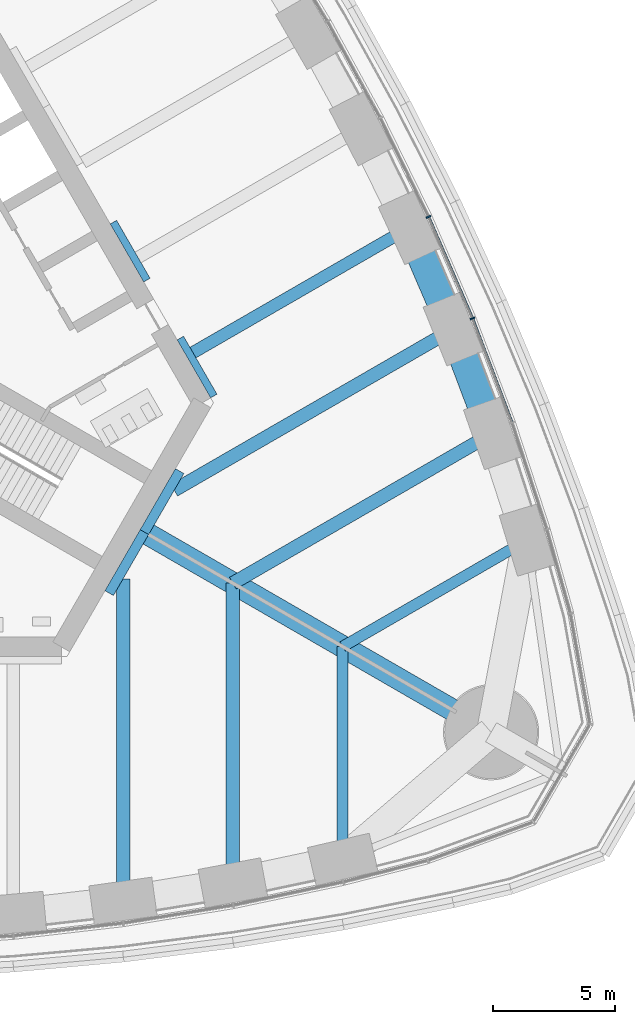
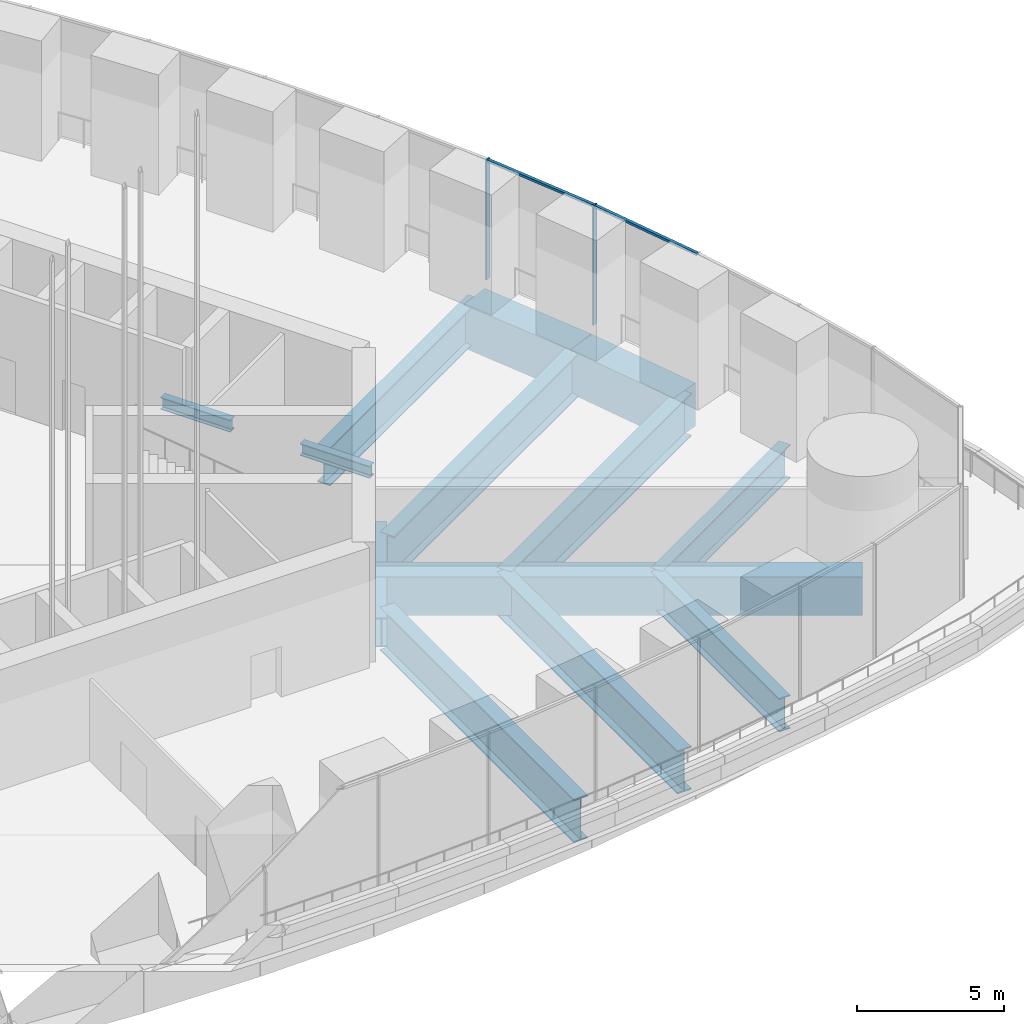
# One storey, part 5 of 31: 14 beams, 4 members, 1 element without a shape of its own.
"""IFC4 building model written with IfcOpenShell, lengths in metres."""

import ifcopenshell
import ifcopenshell.guid

model = None  # the IFC model being written
_history = None  # IfcOwnerHistory: only IFC2X3 demands one
_inside = {}  # id of a spatial element -> (the spatial element, [elements in it])
_under = {}  # id of a project, library or spatial element -> (it, [spatial elements below it])
_declared = {}  # id of a project -> (the project, [libraries it declares])
_typed = {}  # id of a type object -> (the type object, [elements of that type])
_made_of = {}  # id of a material, layer set ... -> (it, [elements and type objects made of it])


def new_model(schema):
    """Start an empty IFC model of exactly this schema.

    Asked for "IFC4X3", IfcOpenShell would pick the latest addendum, in which some entities
    have other attributes; the version numbers below select the first issue.
    IFC2X3 requires an IfcOwnerHistory on every rooted entity: one is made here for all.
    """
    global model, _history
    if schema == "IFC4X3":
        model = ifcopenshell.file(schema_version=(4, 3, 0, 0))
    else:
        model = ifcopenshell.file(schema=schema)
    _inside.clear()
    _under.clear()
    _declared.clear()
    _typed.clear()
    _made_of.clear()
    _history = None
    if model.schema == "IFC2X3":
        org = make("IfcOrganization", Name="unknown")
        user = make(
            "IfcPersonAndOrganization",
            ThePerson=make("IfcPerson", FamilyName="unknown"),
            TheOrganization=org,
        )
        app = make(
            "IfcApplication",
            ApplicationDeveloper=org,
            Version="unknown",
            ApplicationFullName="unknown",
            ApplicationIdentifier="unknown",
        )
        _history = make(
            "IfcOwnerHistory",
            OwningUser=user,
            OwningApplication=app,
            ChangeAction="ADDED",
            CreationDate=0,
        )
    return model


def make(cls, **values):
    """One entity of the class cls with the attributes given. An attribute that is None is left unset."""
    return model.create_entity(
        cls, **{name: value for name, value in values.items() if value is not None}
    )


def rooted(cls, **values):
    """An entity with a GlobalId (a new one), such as an element, a storey or a relation."""
    return make(cls, GlobalId=ifcopenshell.guid.new(), OwnerHistory=_history, **values)


def si_unit(unit_type, name, prefix=None):
    """IfcSIUnit, for example si_unit("LENGTHUNIT", "METRE", prefix="MILLI")."""
    return make("IfcSIUnit", UnitType=unit_type, Prefix=prefix, Name=name)


def assignment(units):
    """IfcUnitAssignment: the units of a project."""
    return None if units is None else make("IfcUnitAssignment", Units=units)


def point(xyz):
    """IfcCartesianPoint."""
    return None if xyz is None else make("IfcCartesianPoint", Coordinates=xyz)


def direction(xyz):
    """IfcDirection."""
    return None if xyz is None else make("IfcDirection", DirectionRatios=xyz)


def frame(location, z_axis=None, x_axis=None):
    """IfcAxis2Placement3D, a coordinate frame: its origin and axes. An axis left out is left unset."""
    return make(
        "IfcAxis2Placement3D",
        Location=point(location),
        Axis=direction(z_axis),
        RefDirection=direction(x_axis),
    )


def frame_2d(location, x_axis=None):
    """IfcAxis2Placement2D, a coordinate frame in the plane: its origin and x axis."""
    return make(
        "IfcAxis2Placement2D", Location=point(location), RefDirection=direction(x_axis)
    )


def origin():
    """The frame at (0, 0, 0) with its axes left unset."""
    return frame((0.0, 0.0, 0.0))


def origin_2d():
    """The frame at (0, 0) in the plane with its x axis left unset."""
    return frame_2d((0.0, 0.0))


def place(relative_to, where):
    """IfcLocalPlacement: puts the frame where relative to a parent placement (None: the world)."""
    return make(
        "IfcLocalPlacement", PlacementRelTo=relative_to, RelativePlacement=where
    )


def context(
    kind, dimensions, precision=None, world=None, true_north=None, identifier=None
):
    """IfcGeometricRepresentationContext, for example the 3D "Model" context."""
    return make(
        "IfcGeometricRepresentationContext",
        ContextIdentifier=identifier,
        ContextType=kind,
        CoordinateSpaceDimension=dimensions,
        Precision=precision,
        WorldCoordinateSystem=world,
        TrueNorth=true_north,
    )


def subcontext(parent, identifier, kind, view, scale=None):
    """IfcGeometricRepresentationSubContext, for example "Body" below "Model"."""
    return make(
        "IfcGeometricRepresentationSubContext",
        ContextIdentifier=identifier,
        ContextType=kind,
        ParentContext=parent,
        TargetScale=scale,
        TargetView=view,
    )


def project(units=None, contexts=None):
    """IfcProject with its units and contexts."""
    return rooted(
        "IfcProject",
        Name="project",
        RepresentationContexts=contexts,
        UnitsInContext=assignment(units),
    )


def spatial(cls, under=None, at=None, **own):
    """A site, building, storey or space (cls), placed at a placement, below another one or the project."""
    s = rooted(cls, ObjectPlacement=at, **own)
    if under is not None:
        _under.setdefault(under.id(), (under, []))[1].append(s)
    return s


def profile(cls, at=None, kind="AREA", **sizes):
    """A parametric profile (cls). Its sizes go by their IFC names, for example OverallWidth=200.0."""
    return make(cls, ProfileType=kind, Position=at, **sizes)


def rectangle(**sizes):
    """IfcRectangleProfileDef."""
    return profile("IfcRectangleProfileDef", **sizes)


def i_section(**sizes):
    """IfcIShapeProfileDef."""
    return profile("IfcIShapeProfileDef", **sizes)


def extrude(swept, where, along, depth):
    """IfcExtrudedAreaSolid: the profile swept, set in the frame where, extruded along a direction by depth."""
    return make(
        "IfcExtrudedAreaSolid",
        SweptArea=swept,
        Position=where,
        ExtrudedDirection=direction(along),
        Depth=depth,
    )


def shape(context_of_items, identifier, shape_type, items):
    """IfcShapeRepresentation: the items that make up one representation, for example the "Body"."""
    return make(
        "IfcShapeRepresentation",
        ContextOfItems=context_of_items,
        RepresentationIdentifier=identifier,
        RepresentationType=shape_type,
        Items=items,
    )


def material(Name=None, Category=None):
    """IfcMaterial."""
    return make("IfcMaterial", Name=Name, Category=Category)


def material_profile(
    of_material, cross_section, Name=None, Category=None, Priority=None
):
    """IfcMaterialProfile: a cross section and its material."""
    return make(
        "IfcMaterialProfile",
        Name=Name,
        Material=of_material,
        Profile=cross_section,
        Priority=Priority,
        Category=Category,
    )


def profile_set(profiles, Name=None, composite=None):
    """IfcMaterialProfileSet."""
    return make(
        "IfcMaterialProfileSet",
        Name=Name,
        MaterialProfiles=profiles,
        CompositeProfile=composite,
    )


def made_of(thing, what):
    """Note that an element or type object is made of a material, layer set ...; save() writes the relation."""
    if what is not None:
        _made_of.setdefault(what.id(), (what, []))[1].append(thing)
    return thing


def type_object(cls, material=None, **own):
    """A type object (cls), such as IfcWallType, which elements share."""
    return made_of(rooted(cls, **own), material)


def element(
    cls,
    number,
    at=None,
    inside=None,
    cuts=None,
    type_object=None,
    material=None,
    context=None,
    identifier="Body",
    shape_type=None,
    held_by="IfcProductDefinitionShape",
    body=None,
    shapes=None,
    **own,
):
    """One element of the class cls, such as IfcWall. Its Tag is "e" and its number.

    at: its placement. inside: the storey or other place that contains it. cuts: it is an
    opening in that element (IfcRelVoidsElement). A single representation is given by context,
    identifier, shape_type and body (its items); several are given by shapes. held_by: the class
    of the entity that holds the representations. save() writes the other relations.
    """
    e = rooted(cls, Tag="e%d" % number, ObjectPlacement=at, **own)
    if body is not None:
        shapes = [shape(context, identifier, shape_type, body)]
    if shapes is not None:
        e.Representation = make(held_by, Representations=shapes)
    if inside is not None:
        _inside.setdefault(inside.id(), (inside, []))[1].append(e)
    if cuts is not None:
        rooted(
            "IfcRelVoidsElement", RelatingBuildingElement=cuts, RelatedOpeningElement=e
        )
    if type_object is not None:
        _typed.setdefault(type_object.id(), (type_object, []))[1].append(e)
    return made_of(e, material)


def aggregate(whole, parts):
    """IfcRelAggregates: a whole, such as a stair, and the parts it consists of."""
    return rooted("IfcRelAggregates", RelatingObject=whole, RelatedObjects=parts)


def save(model, path):
    """Write the relations noted so far, then the file.

    IfcRelAggregates (storeys below a building ...), IfcRelContainedInSpatialStructure (elements
    in a storey), IfcRelDefinesByType, IfcRelAssociatesMaterial and IfcRelDeclares: one each for
    every whole, place, type object, material and project.
    """
    for whole, parts in _under.values():
        aggregate(whole, parts)
    for where, things in _inside.values():
        rooted(
            "IfcRelContainedInSpatialStructure",
            RelatedElements=things,
            RelatingStructure=where,
        )
    for kind, things in _typed.values():
        rooted("IfcRelDefinesByType", RelatedObjects=things, RelatingType=kind)
    for what, things in _made_of.values():
        rooted("IfcRelAssociatesMaterial", RelatedObjects=things, RelatingMaterial=what)
    for by, libraries in _declared.values():
        rooted("IfcRelDeclares", RelatingContext=by, RelatedDefinitions=libraries)
    model.write(path)


model = new_model("IFC4")

# Units and contexts
model_context = context("Model", 3, precision=1e-05, world=origin(), true_north=direction((0.0, 1.0)))
body_context = subcontext(model_context, "Body", "Model", "MODEL_VIEW")
ifc_project = project(units=[si_unit("LENGTHUNIT", "METRE"), si_unit("AREAUNIT", "SQUARE_METRE"), si_unit("VOLUMEUNIT", "CUBIC_METRE"), si_unit("PLANEANGLEUNIT", "RADIAN"), si_unit("MASSUNIT", "GRAM", prefix="KILO")], contexts=[model_context])

# Site, building, storey
site_placement = place(None, origin())
site = spatial("IfcSite", under=ifc_project, at=site_placement, CompositionType="ELEMENT")
building_placement = place(site_placement, origin())
building = spatial("IfcBuilding", under=site, at=building_placement, Name="Trefoil Bronze Tower", CompositionType="ELEMENT")
storey_placement = place(building_placement, frame((0.0, 0.0, 184.699951171875)))
storey = spatial("IfcBuildingStorey", under=building, at=storey_placement, Name="L42", CompositionType="ELEMENT", Elevation=184.699951171875)

# Curtain wall, members
ifc_material_1 = material(Name="Tinted solar-control glass", Category="glass")
curtain_wall_type = type_object("IfcCurtainWallType", Name="Bronze sky lobby curtain wall", PredefinedType="USERDEFINED", material=ifc_material_1)
curtain_wall_placement = place(storey_placement, origin())
curtain_wall = element("IfcCurtainWall", 1, at=curtain_wall_placement, inside=storey, type_object=curtain_wall_type, Name="CW-D L42 F2", ObjectType="CURTAIN WALL", PredefinedType="USERDEFINED")
ifc_material_2 = material(Name="Bronze-finish aluminium", Category="aluminium")
ifc_material_profile_1 = material_profile(ifc_material_2, rectangle(XDim=0.199951171875, YDim=0.06005859375, at=origin_2d()), Name="CW-D mullion")
ifc_profile_set_1 = profile_set([ifc_material_profile_1], Name="Bronze-finish aluminium")
member_type_1 = type_object("IfcMemberType", Name="Bronze sky lobby curtain wall mullion", PredefinedType="MULLION", material=ifc_profile_set_1)
member_1_placement = place(storey_placement, frame((27.814453125, 0.454345703125, 0.0), z_axis=(0.0, 0.0, 1.0), x_axis=(-0.926689348282, -0.375828221106, 0.0)))
member_1 = element("IfcMember", 2, at=member_1_placement, type_object=member_type_1, Name="CW-D L42 F2 mullion 4", PredefinedType="MULLION", context=body_context, shape_type="SweptSolid", body=[
    extrude(rectangle(XDim=0.199951171875, YDim=0.06005859375, at=origin_2d()), origin(), (0.0, 0.0, 1.0), 4.97998046875),
])
member_2_placement = place(storey_placement, frame((26.01318359375, 4.61572265625, 0.0), z_axis=(0.0, 0.0, 1.0), x_axis=(-0.908315380354, -0.418285990457, 0.0)))
member_2 = element("IfcMember", 3, at=member_2_placement, type_object=member_type_1, Name="CW-D L42 F2 mullion 5", PredefinedType="MULLION", context=body_context, shape_type="SweptSolid", body=[
    extrude(rectangle(XDim=0.199951171875, YDim=0.06005859375, at=origin_2d()), origin(), (0.0, 0.0, 1.0), 4.97998046875),
])
ifc_material_3 = material(Name="Bronze-finish aluminium", Category="aluminium")
ifc_material_profile_2 = material_profile(ifc_material_3, rectangle(XDim=0.1201171875, YDim=0.10009765625, at=origin_2d()), Name="CW-D transom")
ifc_profile_set_2 = profile_set([ifc_material_profile_2], Name="Bronze-finish aluminium")
member_type_2 = type_object("IfcMemberType", Name="Bronze sky lobby curtain wall transom", PredefinedType="USERDEFINED", material=ifc_profile_set_2)
member_3_placement = place(storey_placement, frame((29.419677734375, -3.783447265625, 4.929931640625), z_axis=(-0.354225624615, 0.935159989984, 0.0), x_axis=(-0.935159989984, -0.354225624615, 0.0)))
member_3 = element("IfcMember", 4, at=member_3_placement, type_object=member_type_2, Name="CW-D L42 F2 transom 3", ObjectType="TRANSOM", PredefinedType="USERDEFINED", context=body_context, shape_type="SweptSolid", body=[
    extrude(rectangle(XDim=0.1201171875, YDim=0.10009765625, at=origin_2d()), origin(), (0.0, 0.0, 1.0), 4.499267578125),
])
member_4_placement = place(storey_placement, frame((27.801513671875, 0.48388671875, 4.929931640625), z_axis=(-0.397179751829, 0.917740837457, 0.0), x_axis=(-0.917740837457, -0.397179751829, 0.0)))
member_4 = element("IfcMember", 5, at=member_4_placement, type_object=member_type_2, Name="CW-D L42 F2 transom 4", ObjectType="TRANSOM", PredefinedType="USERDEFINED", context=body_context, shape_type="SweptSolid", body=[
    extrude(rectangle(XDim=0.1201171875, YDim=0.10009765625, at=origin_2d()), origin(), (0.0, 0.0, 1.0), 4.469970703125),
])
aggregate(curtain_wall, [member_1, member_2, member_3, member_4])

# Beams
ifc_material_4 = material(Name="Steel C355", Category="steel")
ifc_material_profile_3 = material_profile(ifc_material_4, i_section(OverallWidth=0.300048828125, OverallDepth=0.5, WebThickness=0.014404296875, FlangeThickness=0.028076171875, FilletRadius=0.027099609375, at=origin_2d()), Name="HEB 500")
ifc_profile_set_3 = profile_set([ifc_material_profile_3], Name="Steel C355")
beam_type_1 = type_object("IfcBeamType", Name="Core seat beam HEB 500", PredefinedType="BEAM", material=ifc_profile_set_3)
for number, where, z_axis, x_axis, name in (
    (6, (17.219482421875, -2.72509765625, -0.449951171875), (-0.500035825175, 0.866004719122, 0.0), (-0.866004719122, -0.500035825175, 0.0), "Core seat beam F2/-2 L42"),
    (7, (14.47705078125, 2.02490234375, -0.449951171875), (-0.499969057507, 0.866043267704, 0.0), (-0.866043267704, -0.499969057507, 0.0), "Core seat beam F2/-1 L42"),
):
    element("IfcBeam", number, at=place(storey_placement, frame(where, z_axis=z_axis, x_axis=x_axis)), inside=storey, type_object=beam_type_1, Name=name, PredefinedType="BEAM", context=body_context, shape_type="SweptSolid", body=[
        extrude(i_section(OverallWidth=0.300048828125, OverallDepth=0.5, WebThickness=0.014404296875, FlangeThickness=0.028076171875, FilletRadius=0.027099609375, at=origin_2d()), origin(), (0.0, 0.0, 1.0), 2.742431640625),
    ])
ifc_material_5 = material(Name="Steel C355", Category="steel")
ifc_material_profile_4 = material_profile(ifc_material_5, i_section(OverallWidth=0.39990234375, OverallDepth=1.199951171875, WebThickness=0.02001953125, FlangeThickness=0.0400390625, FilletRadius=0.010009765625, at=origin_2d()), Name="WPG 1200")
ifc_profile_set_4 = profile_set([ifc_material_profile_4], Name="Steel C355")
beam_type_2 = type_object("IfcBeamType", Name="Core seat beam WPG 1200", PredefinedType="BEAM", material=ifc_profile_set_4)
for number, where, z_axis, x_axis, name in (
    (8, (12.9326171875, -10.800048828125, -0.800048828125), (0.499995765644, 0.866027848477, 0.0), (-0.866027848477, 0.499995765644, 0.0), "Core seat beam F1/+3 L42"),
    (9, (14.3759765625, -8.300048828125, -0.800048828125), (0.499995765644, 0.866027848477, 0.0), (-0.866027848477, 0.499995765644, 0.0), "Core seat beam F2/-3 L42"),
):
    element("IfcBeam", number, at=place(storey_placement, frame(where, z_axis=z_axis, x_axis=x_axis)), inside=storey, type_object=beam_type_2, Name=name, PredefinedType="BEAM", context=body_context, shape_type="SweptSolid", body=[
        extrude(i_section(OverallWidth=0.39990234375, OverallDepth=1.199951171875, WebThickness=0.02001953125, FlangeThickness=0.0400390625, FilletRadius=0.010009765625, at=origin_2d()), origin(), (0.0, 0.0, 1.0), 2.88671875),
    ])
ifc_material_6 = material(Name="Concrete B80", Category="concrete")
ifc_material_profile_5 = material_profile(ifc_material_6, rectangle(XDim=0.89990234375, YDim=1.60009765625, at=origin_2d()), Name="RC 900x1600")
ifc_profile_set_5 = profile_set([ifc_material_profile_5], Name="Concrete B80")
beam_type_3 = type_object("IfcBeamType", Name="Corner girder RC 900x1600", PredefinedType="BEAM", material=ifc_profile_set_5)
beam_1_placement = place(storey_placement, frame((14.202880859375, -8.199951171875, -1.0), z_axis=(0.866023450265, -0.500003383579, 0.0), x_axis=(0.500003383579, 0.866023450265, 0.0)))
element("IfcBeam", 10, at=beam_1_placement, inside=storey, type_object=beam_type_3, Name="Corner girder K1 L42", PredefinedType="BEAM", context=body_context, shape_type="SweptSolid", body=[
    extrude(rectangle(XDim=0.89990234375, YDim=1.60009765625, at=origin_2d()), origin(), (0.0, 0.0, 1.0), 16.60009765625),
])
ifc_material_7 = material(Name="Steel C355", Category="steel")
ifc_material_profile_6 = material_profile(ifc_material_7, i_section(OverallWidth=0.449951171875, OverallDepth=1.39990234375, WebThickness=0.02294921875, FlangeThickness=0.044921875, FilletRadius=0.011962890625, at=origin_2d()), Name="WPG 1400")
ifc_profile_set_6 = profile_set([ifc_material_profile_6], Name="Steel C355")
beam_type_4 = type_object("IfcBeamType", Name="Floor beam WPG 1400", PredefinedType="BEAM", material=ifc_profile_set_6)
beam_2_placement = place(storey_placement, frame((22.5, -21.71044921875, -0.89990234375), z_axis=(0.0, 1.0, 0.0), x_axis=(-1.0, 0.0, 0.0)))
element("IfcBeam", 11, at=beam_2_placement, inside=storey, type_object=beam_type_4, Name="Floor beam F1/+5 L42", PredefinedType="BEAM", context=body_context, shape_type="SweptSolid", body=[
    extrude(i_section(OverallWidth=0.449951171875, OverallDepth=1.39990234375, WebThickness=0.02294921875, FlangeThickness=0.044921875, FilletRadius=0.011962890625, at=origin_2d()), origin(), (0.0, 0.0, 1.0), 8.719970703125),
])
beam_3_placement = place(storey_placement, frame((30.052001953125, -8.63037109375, -0.89990234375), z_axis=(-0.866027535932, -0.499996306993, 0.0), x_axis=(0.499996306993, -0.866027535932, 0.0)))
element("IfcBeam", 12, at=beam_3_placement, inside=storey, type_object=beam_type_4, Name="Floor beam F2/-5 L42", PredefinedType="BEAM", context=body_context, shape_type="SweptSolid", body=[
    extrude(i_section(OverallWidth=0.449951171875, OverallDepth=1.39990234375, WebThickness=0.02294921875, FlangeThickness=0.044921875, FilletRadius=0.011962890625, at=origin_2d()), origin(), (0.0, 0.0, 1.0), 8.72021484375),
])
ifc_material_8 = material(Name="Steel C355", Category="steel")
ifc_material_profile_7 = material_profile(ifc_material_8, i_section(OverallWidth=0.5, OverallDepth=1.60009765625, WebThickness=0.02587890625, FlangeThickness=0.050048828125, FilletRadius=0.011962890625, at=origin_2d()), Name="WPG 1600")
ifc_profile_set_7 = profile_set([ifc_material_profile_7], Name="Steel C355")
beam_type_5 = type_object("IfcBeamType", Name="Floor beam WPG 1600", PredefinedType="BEAM", material=ifc_profile_set_7)
beam_4_placement = place(storey_placement, frame((25.2265625, 4.17236328125, -1.0), z_axis=(-0.866017525653, -0.500013645076, 0.0), x_axis=(0.500013645076, -0.866017525653, 0.0)))
element("IfcBeam", 13, at=beam_4_placement, inside=storey, type_object=beam_type_5, Name="Floor beam F2/-2 L42", PredefinedType="BEAM", context=body_context, shape_type="SweptSolid", body=[
    extrude(i_section(OverallWidth=0.5, OverallDepth=1.60009765625, WebThickness=0.02587890625, FlangeThickness=0.050048828125, FilletRadius=0.011962890625, at=origin_2d()), origin(), (0.0, 0.0, 1.0), 10.233154296875),
])
ifc_material_9 = material(Name="Steel C355", Category="steel")
ifc_material_profile_8 = material_profile(ifc_material_9, i_section(OverallWidth=0.550048828125, OverallDepth=1.800048828125, WebThickness=0.029052734375, FlangeThickness=0.054931640625, FilletRadius=0.013916015625, at=origin_2d()), Name="WPG 1800")
ifc_profile_set_8 = profile_set([ifc_material_profile_8], Name="Steel C355")
beam_type_6 = type_object("IfcBeamType", Name="Floor beam WPG 1800", PredefinedType="BEAM", material=ifc_profile_set_8)
beam_5_placement = place(storey_placement, frame((13.5, -23.408447265625, -1.099853515625), z_axis=(0.0, 1.0, 0.0), x_axis=(-1.0, 0.0, 0.0)))
element("IfcBeam", 14, at=beam_5_placement, inside=storey, type_object=beam_type_6, Name="Floor beam F1/+3 L42", PredefinedType="BEAM", context=body_context, shape_type="SweptSolid", body=[
    extrude(i_section(OverallWidth=0.550048828125, OverallDepth=1.800048828125, WebThickness=0.029052734375, FlangeThickness=0.054931640625, FilletRadius=0.013916015625, at=origin_2d()), origin(), (0.0, 0.0, 1.0), 13.191162109375),
])
beam_6_placement = place(storey_placement, frame((18.0, -22.6689453125, -1.099853515625), z_axis=(0.0, 1.0, 0.0), x_axis=(-1.0, 0.0, 0.0)))
element("IfcBeam", 15, at=beam_6_placement, inside=storey, type_object=beam_type_6, Name="Floor beam F1/+4 L42", PredefinedType="BEAM", context=body_context, shape_type="SweptSolid", body=[
    extrude(i_section(OverallWidth=0.550048828125, OverallDepth=1.800048828125, WebThickness=0.029052734375, FlangeThickness=0.054931640625, FilletRadius=0.013916015625, at=origin_2d()), origin(), (0.0, 0.0, 1.0), 12.276611328125),
])
beam_7_placement = place(storey_placement, frame((28.632080078125, -4.25390625, -1.099853515625), z_axis=(-0.866025635187, -0.499999599199, 0.0), x_axis=(0.499999599199, -0.866025635187, 0.0)))
element("IfcBeam", 16, at=beam_7_placement, inside=storey, type_object=beam_type_6, Name="Floor beam F2/-4 L42", PredefinedType="BEAM", context=body_context, shape_type="SweptSolid", body=[
    extrude(i_section(OverallWidth=0.550048828125, OverallDepth=1.800048828125, WebThickness=0.029052734375, FlangeThickness=0.054931640625, FilletRadius=0.013916015625, at=origin_2d()), origin(), (0.0, 0.0, 1.0), 12.27685546875),
])
beam_8_placement = place(storey_placement, frame((27.022216796875, 0.012939453125, -1.099853515625), z_axis=(-0.866020385251, -0.500008692254, 0.0), x_axis=(0.500008692254, -0.866020385251, 0.0)))
element("IfcBeam", 17, at=beam_8_placement, inside=storey, type_object=beam_type_6, Name="Floor beam F2/-3 L42", PredefinedType="BEAM", context=body_context, shape_type="SweptSolid", body=[
    extrude(i_section(OverallWidth=0.550048828125, OverallDepth=1.800048828125, WebThickness=0.029052734375, FlangeThickness=0.054931640625, FilletRadius=0.013916015625, at=origin_2d()), origin(), (0.0, 0.0, 1.0), 13.191162109375),
])
ifc_material_10 = material(Name="Concrete B80", Category="concrete")
ifc_material_profile_9 = material_profile(ifc_material_10, rectangle(XDim=1.199951171875, YDim=1.800048828125, at=origin_2d()), Name="RC 1200x1800")
ifc_profile_set_9 = profile_set([ifc_material_profile_9], Name="Concrete B80")
beam_type_7 = type_object("IfcBeamType", Name="Spandrel beam RC 1200x1800", PredefinedType="SPANDREL", material=ifc_profile_set_9)
beam_9_placement = place(storey_placement, frame((28.632080078125, -4.25390625, -1.099853515625), z_axis=(-0.353005969632, 0.935621069346, 0.0), x_axis=(-0.935621069346, -0.353005969632, 0.0)))
element("IfcBeam", 18, at=beam_9_placement, inside=storey, type_object=beam_type_7, Name="Spandrel F2.3 L42", PredefinedType="SPANDREL", context=body_context, shape_type="SweptSolid", body=[
    extrude(rectangle(XDim=1.199951171875, YDim=1.800048828125, at=origin_2d()), origin(), (0.0, 0.0, 1.0), 4.560546875),
])
beam_10_placement = place(storey_placement, frame((27.022216796875, 0.012939453125, -1.099853515625), z_axis=(-0.396350337164, 0.918099346602, 0.0), x_axis=(-0.918099346602, -0.396350337164, 0.0)))
element("IfcBeam", 19, at=beam_10_placement, inside=storey, type_object=beam_type_7, Name="Spandrel F2.4 L42", PredefinedType="SPANDREL", context=body_context, shape_type="SweptSolid", body=[
    extrude(rectangle(XDim=1.199951171875, YDim=1.800048828125, at=origin_2d()), origin(), (0.0, 0.0, 1.0), 4.530517578125),
])

save(model, "model.ifc")
